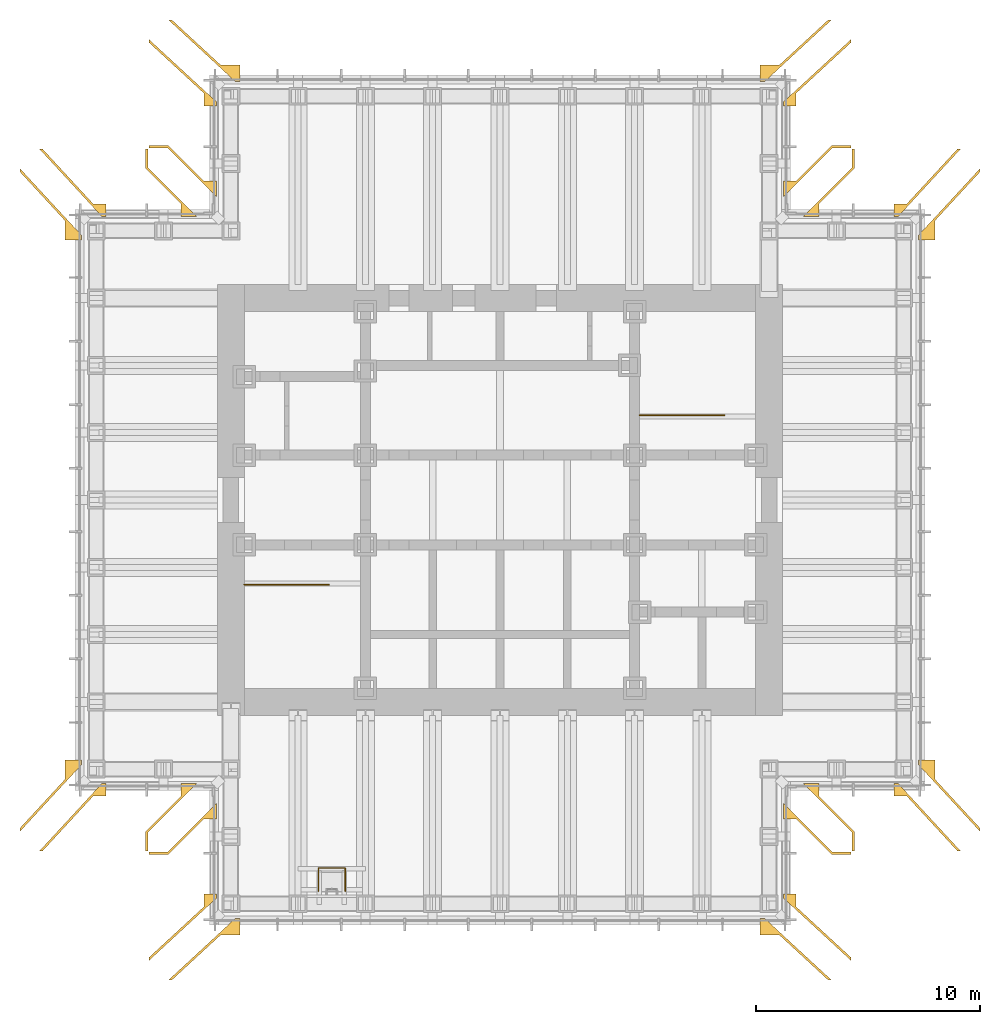
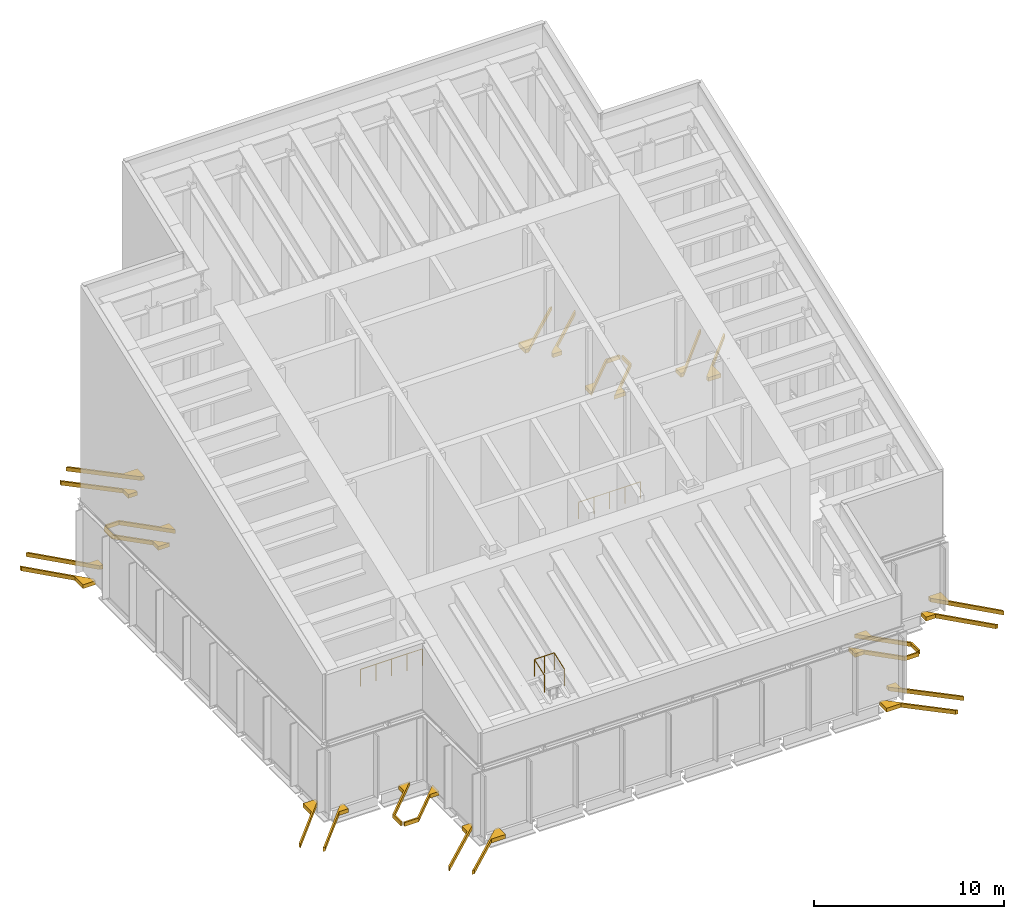
# One storey, part 15 of 15: 24 coverings, 3 railings.
"""IFC4 building model written with IfcOpenShell, lengths in metres."""

from ifc_helpers import new_model, si_unit, direction, frame, origin, origin_2d, place, context, subcontext, project, spatial, polyline, circle, outline, extrude, material, layer, layer_set, type_object, element, save


model = new_model("IFC4")

# Units and contexts
model_context = context("Model", 3, precision=1e-05, world=origin(), true_north=direction((0.0, 1.0)))
body_context = subcontext(model_context, "Body", "Model", "MODEL_VIEW")
ifc_project = project(units=[si_unit("LENGTHUNIT", "METRE"), si_unit("AREAUNIT", "SQUARE_METRE"), si_unit("VOLUMEUNIT", "CUBIC_METRE"), si_unit("PLANEANGLEUNIT", "RADIAN"), si_unit("MASSUNIT", "GRAM", prefix="KILO")], contexts=[model_context])

# Site, building, storey
site_placement = place(None, origin())
site = spatial("IfcSite", under=ifc_project, at=site_placement, CompositionType="ELEMENT")
building_placement = place(site_placement, origin())
building = spatial("IfcBuilding", under=site, at=building_placement, Name="Daluyong Arena Tower", CompositionType="ELEMENT")
storey_placement = place(building_placement, frame((0.0, 0.0, 285.699951171875)))
storey = spatial("IfcBuildingStorey", under=building, at=storey_placement, Name="L64", CompositionType="ELEMENT", Elevation=285.699951171875)

# Railings
ifc_material_1 = material(Name="Galvanised steel guard rail", Category="steel")
railing_type_1 = type_object("IfcRailingType", Name="Roof hatch guard 1100", PredefinedType="GUARDRAIL", material=ifc_material_1)
railing_placement = place(storey_placement, frame((47.89990234375, 62.550048828125, 6.75048828125)))
element("IfcRailing", 1, at=railing_placement, inside=storey, type_object=railing_type_1, Name="crown roof hatch guard", PredefinedType="GUARDRAIL", context=body_context, shape_type="SweptSolid", body=[
    extrude(circle(Radius=0.02392578125, at=origin_2d()), frame((0.0, 0.0, 1.076171875), z_axis=(0.0, 0.936248640574, 0.351338132036), x_axis=(-1.0, 0.0, 0.0)), (0.0, 0.0, 1.0), 1.12158203125),
    extrude(circle(Radius=0.02392578125, at=origin_2d()), frame((0.0, 1.050048828125, 1.47021484375), z_axis=(1.0, 0.0, 0.0), x_axis=(0.0, 1.0, 0.0)), (0.0, 0.0, 1.0), 1.2001953125),
    extrude(circle(Radius=0.02392578125, at=origin_2d()), frame((1.2001953125, 1.050048828125, 1.47021484375), z_axis=(0.0, -0.936248640574, -0.351338132036), x_axis=(1.0, 0.0, 0.0)), (0.0, 0.0, 1.0), 1.12158203125),
    extrude(circle(Radius=0.02099609375, at=origin_2d()), origin(), (0.0, 0.0, 1.0), 1.052001953125),
    extrude(circle(Radius=0.02099609375, at=origin_2d()), frame((0.0, 1.050048828125, 0.39404296875)), (0.0, 0.0, 1.0), 1.052001953125),
    extrude(circle(Radius=0.02099609375, at=origin_2d()), frame((0.60009765625, 1.050048828125, 0.39404296875)), (0.0, 0.0, 1.0), 1.052001953125),
    extrude(circle(Radius=0.02099609375, at=origin_2d()), frame((1.2001953125, 1.050048828125, 0.39404296875)), (0.0, 0.0, 1.0), 1.052001953125),
    extrude(circle(Radius=0.02099609375, at=origin_2d()), frame((1.2001953125, 0.0, 0.0)), (0.0, 0.0, 1.0), 1.052001953125),
])
ifc_material_2 = material(Name="Steel balustrade", Category="steel")
railing_type_2 = type_object("IfcRailingType", Name="Stair well guard 1100", PredefinedType="GUARDRAIL", material=ifc_material_2)
for number, where, name in (
    (2, (44.60009765625, 76.22509765625, 0.0), "stair well guard L64"),
    (3, (62.22509765625, 83.77490234375, 0.0), "stair well guard L64"),
):
    element("IfcRailing", number, at=place(storey_placement, frame(where)), inside=storey, type_object=railing_type_2, Name=name, PredefinedType="GUARDRAIL", context=body_context, shape_type="SweptSolid", body=[
        extrude(circle(Radius=0.02392578125, at=origin_2d()), frame((0.0, 0.0, 1.076171875), z_axis=(1.0, 0.0, 0.0), x_axis=(0.0, 1.0, 0.0)), (0.0, 0.0, 1.0), 3.77490234375),
        extrude(circle(Radius=0.02099609375, at=origin_2d()), origin(), (0.0, 0.0, 1.0), 1.052001953125),
        extrude(circle(Radius=0.02099609375, at=origin_2d()), frame((0.94384765625, 0.0, 0.0)), (0.0, 0.0, 1.0), 1.052001953125),
        extrude(circle(Radius=0.02099609375, at=origin_2d()), frame((1.887451171875, 0.0, 0.0)), (0.0, 0.0, 1.0), 1.052001953125),
        extrude(circle(Radius=0.02099609375, at=origin_2d()), frame((2.8310546875, 0.0, 0.0)), (0.0, 0.0, 1.0), 1.052001953125),
        extrude(circle(Radius=0.02099609375, at=origin_2d()), frame((3.77490234375, 0.0, 0.0)), (0.0, 0.0, 1.0), 1.052001953125),
    ])

# Coverings
ifc_material_3 = material(Name="Bronze anodised aluminium capping", Category="aluminium")
ifc_layer = layer(ifc_material_3, 0.25)
ifc_layer_set = layer_set([ifc_layer], Name="Bronze anodised aluminium capping")
covering_type = type_object("IfcCoveringType", Name="Transition column casing cap 250", PredefinedType="ROOFING", material=ifc_layer_set)
covering_1_placement = place(storey_placement, frame((0.0, 0.0, -0.25)))
element("IfcCovering", 4, at=covering_1_placement, inside=storey, type_object=covering_type, Name="transition column casing cap L63 1", PredefinedType="ROOFING", context=body_context, shape_type="SweptSolid", body=[
    extrude(outline(polyline([(43.35009765625, 62.429443359375), (43.35009765625, 62.2373046875), (40.35009765625, 59.468017578125), (40.35009765625, 59.60400390625), (42.800048828125, 61.86572265625), (42.800048828125, 62.429443359375), (43.35009765625, 62.429443359375)])), origin(), (0.0, 0.0, 1.0), 0.25),
])
covering_2_placement = place(storey_placement, frame((0.0, 0.0, -0.25)))
element("IfcCovering", 5, at=covering_2_placement, inside=storey, type_object=covering_type, Name="transition column casing cap L63 2", PredefinedType="ROOFING", context=body_context, shape_type="SweptSolid", body=[
    extrude(outline(polyline([(44.41455078125, 60.60009765625), (43.537841796875, 60.60009765625), (41.37109375, 58.60009765625), (41.2236328125, 58.60009765625), (44.202880859375, 61.35009765625), (44.41455078125, 61.35009765625), (44.41455078125, 60.60009765625)])), origin(), (0.0, 0.0, 1.0), 0.25),
])
covering_3_placement = place(storey_placement, frame((0.0, 0.0, -0.25)))
element("IfcCovering", 6, at=covering_3_placement, inside=storey, type_object=covering_type, Name="transition column casing cap L63 1", PredefinedType="ROOFING", context=body_context, shape_type="SweptSolid", body=[
    extrude(outline(polyline([(70.7763671875, 58.60009765625), (70.62890625, 58.60009765625), (68.462158203125, 60.60009765625), (67.58544921875, 60.60009765625), (67.58544921875, 61.35009765625), (67.797119140625, 61.35009765625), (70.7763671875, 58.60009765625)])), origin(), (0.0, 0.0, 1.0), 0.25),
])
covering_4_placement = place(storey_placement, frame((0.0, 0.0, -0.25)))
element("IfcCovering", 7, at=covering_4_placement, inside=storey, type_object=covering_type, Name="transition column casing cap L63 2", PredefinedType="ROOFING", context=body_context, shape_type="SweptSolid", body=[
    extrude(outline(polyline([(69.199951171875, 62.429443359375), (69.199951171875, 61.86572265625), (71.64990234375, 59.60400390625), (71.64990234375, 59.468017578125), (68.64990234375, 62.2373046875), (68.64990234375, 62.429443359375), (69.199951171875, 62.429443359375)])), origin(), (0.0, 0.0, 1.0), 0.25),
])
covering_5_placement = place(storey_placement, frame((0.0, 0.0, -0.25)))
element("IfcCovering", 8, at=covering_5_placement, inside=storey, type_object=covering_type, Name="transition column casing cap L63 1", PredefinedType="ROOFING", context=body_context, shape_type="SweptSolid", body=[
    extrude(outline(polyline([(70.829345703125, 64.300048828125), (71.64990234375, 64.300048828125), (71.64990234375, 64.199951171875), (70.787841796875, 64.199951171875), (69.199951171875, 65.787841796875), (69.199951171875, 65.77783203125), (68.64990234375, 65.77783203125), (68.64990234375, 66.479248046875), (70.829345703125, 64.300048828125)])), origin(), (0.0, 0.0, 1.0), 0.25),
])
covering_6_placement = place(storey_placement, frame((0.0, 0.0, -0.25)))
element("IfcCovering", 9, at=covering_6_placement, inside=storey, type_object=covering_type, Name="transition column casing cap L63 2", PredefinedType="ROOFING", context=body_context, shape_type="SweptSolid", body=[
    extrude(outline(polyline([(69.520751953125, 67.35009765625), (70.22216796875, 67.35009765625), (70.22216796875, 66.800048828125), (70.212158203125, 66.800048828125), (71.800048828125, 65.212158203125), (71.800048828125, 64.35009765625), (71.699951171875, 64.35009765625), (71.699951171875, 65.170654296875), (69.520751953125, 67.35009765625)])), origin(), (0.0, 0.0, 1.0), 0.25),
])
covering_7_placement = place(storey_placement, frame((0.0, 0.0, -0.25)))
element("IfcCovering", 10, at=covering_7_placement, inside=storey, type_object=covering_type, Name="transition column casing cap L63 1", PredefinedType="ROOFING", context=body_context, shape_type="SweptSolid", body=[
    extrude(outline(polyline([(76.531982421875, 64.35009765625), (76.39599609375, 64.35009765625), (74.13427734375, 66.800048828125), (73.570556640625, 66.800048828125), (73.570556640625, 67.35009765625), (73.7626953125, 67.35009765625), (76.531982421875, 64.35009765625)])), origin(), (0.0, 0.0, 1.0), 0.25),
])
covering_8_placement = place(storey_placement, frame((0.0, 0.0, -0.25)))
element("IfcCovering", 11, at=covering_8_placement, inside=storey, type_object=covering_type, Name="transition column casing cap L63 2", PredefinedType="ROOFING", context=body_context, shape_type="SweptSolid", body=[
    extrude(outline(polyline([(75.39990234375, 68.41455078125), (75.39990234375, 67.537841796875), (77.39990234375, 65.37109375), (77.39990234375, 65.2236328125), (74.64990234375, 68.202880859375), (74.64990234375, 68.41455078125), (75.39990234375, 68.41455078125)])), origin(), (0.0, 0.0, 1.0), 0.25),
])
covering_9_placement = place(storey_placement, frame((0.0, 0.0, -0.25)))
element("IfcCovering", 12, at=covering_9_placement, inside=storey, type_object=covering_type, Name="transition column casing cap L63 1", PredefinedType="ROOFING", context=body_context, shape_type="SweptSolid", body=[
    extrude(outline(polyline([(73.570556640625, 93.199951171875), (74.13427734375, 93.199951171875), (76.39599609375, 95.64990234375), (76.531982421875, 95.64990234375), (73.7626953125, 92.64990234375), (73.570556640625, 92.64990234375), (73.570556640625, 93.199951171875)])), origin(), (0.0, 0.0, 1.0), 0.25),
])
covering_10_placement = place(storey_placement, frame((0.0, 0.0, -0.25)))
element("IfcCovering", 13, at=covering_10_placement, inside=storey, type_object=covering_type, Name="transition column casing cap L63 2", PredefinedType="ROOFING", context=body_context, shape_type="SweptSolid", body=[
    extrude(outline(polyline([(75.39990234375, 91.58544921875), (74.64990234375, 91.58544921875), (74.64990234375, 91.797119140625), (77.39990234375, 94.7763671875), (77.39990234375, 94.62890625), (75.39990234375, 92.462158203125), (75.39990234375, 91.58544921875)])), origin(), (0.0, 0.0, 1.0), 0.25),
])
covering_11_placement = place(storey_placement, frame((0.0, 0.0, -0.25)))
element("IfcCovering", 14, at=covering_11_placement, inside=storey, type_object=covering_type, Name="transition column casing cap L63 1", PredefinedType="ROOFING", context=body_context, shape_type="SweptSolid", body=[
    extrude(outline(polyline([(69.199951171875, 94.22216796875), (69.199951171875, 94.212158203125), (70.787841796875, 95.800048828125), (71.64990234375, 95.800048828125), (71.64990234375, 95.699951171875), (70.829345703125, 95.699951171875), (68.64990234375, 93.520751953125), (68.64990234375, 94.22216796875), (69.199951171875, 94.22216796875)])), origin(), (0.0, 0.0, 1.0), 0.25),
])
covering_12_placement = place(storey_placement, frame((0.0, 0.0, -0.25)))
element("IfcCovering", 15, at=covering_12_placement, inside=storey, type_object=covering_type, Name="transition column casing cap L63 2", PredefinedType="ROOFING", context=body_context, shape_type="SweptSolid", body=[
    extrude(outline(polyline([(70.212158203125, 93.199951171875), (70.22216796875, 93.199951171875), (70.22216796875, 92.64990234375), (69.520751953125, 92.64990234375), (71.699951171875, 94.829345703125), (71.699951171875, 95.64990234375), (71.800048828125, 95.64990234375), (71.800048828125, 94.787841796875), (70.212158203125, 93.199951171875)])), origin(), (0.0, 0.0, 1.0), 0.25),
])
covering_13_placement = place(storey_placement, frame((0.0, 0.0, -0.25)))
element("IfcCovering", 16, at=covering_13_placement, inside=storey, type_object=covering_type, Name="transition column casing cap L63 1", PredefinedType="ROOFING", context=body_context, shape_type="SweptSolid", body=[
    extrude(outline(polyline([(67.58544921875, 99.39990234375), (68.462158203125, 99.39990234375), (70.62890625, 101.39990234375), (70.7763671875, 101.39990234375), (67.797119140625, 98.64990234375), (67.58544921875, 98.64990234375), (67.58544921875, 99.39990234375)])), origin(), (0.0, 0.0, 1.0), 0.25),
])
covering_14_placement = place(storey_placement, frame((0.0, 0.0, -0.25)))
element("IfcCovering", 17, at=covering_14_placement, inside=storey, type_object=covering_type, Name="transition column casing cap L63 2", PredefinedType="ROOFING", context=body_context, shape_type="SweptSolid", body=[
    extrude(outline(polyline([(69.199951171875, 97.570556640625), (68.64990234375, 97.570556640625), (68.64990234375, 97.7626953125), (71.64990234375, 100.531982421875), (71.64990234375, 100.39599609375), (69.199951171875, 98.13427734375), (69.199951171875, 97.570556640625)])), origin(), (0.0, 0.0, 1.0), 0.25),
])
covering_15_placement = place(storey_placement, frame((0.0, 0.0, -0.25)))
element("IfcCovering", 18, at=covering_15_placement, inside=storey, type_object=covering_type, Name="transition column casing cap L63 1", PredefinedType="ROOFING", context=body_context, shape_type="SweptSolid", body=[
    extrude(outline(polyline([(42.800048828125, 97.570556640625), (42.800048828125, 98.13427734375), (40.35009765625, 100.39599609375), (40.35009765625, 100.531982421875), (43.35009765625, 97.7626953125), (43.35009765625, 97.570556640625), (42.800048828125, 97.570556640625)])), origin(), (0.0, 0.0, 1.0), 0.25),
])
covering_16_placement = place(storey_placement, frame((0.0, 0.0, -0.25)))
element("IfcCovering", 19, at=covering_16_placement, inside=storey, type_object=covering_type, Name="transition column casing cap L63 2", PredefinedType="ROOFING", context=body_context, shape_type="SweptSolid", body=[
    extrude(outline(polyline([(44.41455078125, 99.39990234375), (44.41455078125, 98.64990234375), (44.202880859375, 98.64990234375), (41.2236328125, 101.39990234375), (41.37109375, 101.39990234375), (43.537841796875, 99.39990234375), (44.41455078125, 99.39990234375)])), origin(), (0.0, 0.0, 1.0), 0.25),
])
covering_17_placement = place(storey_placement, frame((0.0, 0.0, -0.25)))
element("IfcCovering", 20, at=covering_17_placement, inside=storey, type_object=covering_type, Name="transition column casing cap L63 1", PredefinedType="ROOFING", context=body_context, shape_type="SweptSolid", body=[
    extrude(outline(polyline([(40.199951171875, 94.787841796875), (40.199951171875, 95.64990234375), (40.300048828125, 95.64990234375), (40.300048828125, 94.829345703125), (42.479248046875, 92.64990234375), (41.77783203125, 92.64990234375), (41.77783203125, 93.199951171875), (41.787841796875, 93.199951171875), (40.199951171875, 94.787841796875)])), origin(), (0.0, 0.0, 1.0), 0.25),
])
covering_18_placement = place(storey_placement, frame((0.0, 0.0, -0.25)))
element("IfcCovering", 21, at=covering_18_placement, inside=storey, type_object=covering_type, Name="transition column casing cap L63 2", PredefinedType="ROOFING", context=body_context, shape_type="SweptSolid", body=[
    extrude(outline(polyline([(42.800048828125, 94.212158203125), (42.800048828125, 94.22216796875), (43.35009765625, 94.22216796875), (43.35009765625, 93.520751953125), (41.170654296875, 95.699951171875), (40.35009765625, 95.699951171875), (40.35009765625, 95.800048828125), (41.212158203125, 95.800048828125), (42.800048828125, 94.212158203125)])), origin(), (0.0, 0.0, 1.0), 0.25),
])
covering_19_placement = place(storey_placement, frame((0.0, 0.0, -0.25)))
element("IfcCovering", 22, at=covering_19_placement, inside=storey, type_object=covering_type, Name="transition column casing cap L63 1", PredefinedType="ROOFING", context=body_context, shape_type="SweptSolid", body=[
    extrude(outline(polyline([(36.60009765625, 91.58544921875), (36.60009765625, 92.462158203125), (34.60009765625, 94.62890625), (34.60009765625, 94.7763671875), (37.35009765625, 91.797119140625), (37.35009765625, 91.58544921875), (36.60009765625, 91.58544921875)])), origin(), (0.0, 0.0, 1.0), 0.25),
])
covering_20_placement = place(storey_placement, frame((0.0, 0.0, -0.25)))
element("IfcCovering", 23, at=covering_20_placement, inside=storey, type_object=covering_type, Name="transition column casing cap L63 2", PredefinedType="ROOFING", context=body_context, shape_type="SweptSolid", body=[
    extrude(outline(polyline([(38.429443359375, 93.199951171875), (38.429443359375, 92.64990234375), (38.2373046875, 92.64990234375), (35.468017578125, 95.64990234375), (35.60400390625, 95.64990234375), (37.86572265625, 93.199951171875), (38.429443359375, 93.199951171875)])), origin(), (0.0, 0.0, 1.0), 0.25),
])
covering_21_placement = place(storey_placement, frame((0.0, 0.0, -0.25)))
element("IfcCovering", 24, at=covering_21_placement, inside=storey, type_object=covering_type, Name="transition column casing cap L63 1", PredefinedType="ROOFING", context=body_context, shape_type="SweptSolid", body=[
    extrude(outline(polyline([(37.35009765625, 68.41455078125), (37.35009765625, 68.202880859375), (34.60009765625, 65.2236328125), (34.60009765625, 65.37109375), (36.60009765625, 67.537841796875), (36.60009765625, 68.41455078125), (37.35009765625, 68.41455078125)])), origin(), (0.0, 0.0, 1.0), 0.25),
])
covering_22_placement = place(storey_placement, frame((0.0, 0.0, -0.25)))
element("IfcCovering", 25, at=covering_22_placement, inside=storey, type_object=covering_type, Name="transition column casing cap L63 2", PredefinedType="ROOFING", context=body_context, shape_type="SweptSolid", body=[
    extrude(outline(polyline([(38.429443359375, 66.800048828125), (37.86572265625, 66.800048828125), (35.60400390625, 64.35009765625), (35.468017578125, 64.35009765625), (38.2373046875, 67.35009765625), (38.429443359375, 67.35009765625), (38.429443359375, 66.800048828125)])), origin(), (0.0, 0.0, 1.0), 0.25),
])
covering_23_placement = place(storey_placement, frame((0.0, 0.0, -0.25)))
element("IfcCovering", 26, at=covering_23_placement, inside=storey, type_object=covering_type, Name="transition column casing cap L63 1", PredefinedType="ROOFING", context=body_context, shape_type="SweptSolid", body=[
    extrude(outline(polyline([(41.77783203125, 67.35009765625), (42.479248046875, 67.35009765625), (40.300048828125, 65.170654296875), (40.300048828125, 64.35009765625), (40.199951171875, 64.35009765625), (40.199951171875, 65.212158203125), (41.787841796875, 66.800048828125), (41.77783203125, 66.800048828125), (41.77783203125, 67.35009765625)])), origin(), (0.0, 0.0, 1.0), 0.25),
])
covering_24_placement = place(storey_placement, frame((0.0, 0.0, -0.25)))
element("IfcCovering", 27, at=covering_24_placement, inside=storey, type_object=covering_type, Name="transition column casing cap L63 2", PredefinedType="ROOFING", context=body_context, shape_type="SweptSolid", body=[
    extrude(outline(polyline([(43.35009765625, 66.479248046875), (43.35009765625, 65.77783203125), (42.800048828125, 65.77783203125), (42.800048828125, 65.787841796875), (41.212158203125, 64.199951171875), (40.35009765625, 64.199951171875), (40.35009765625, 64.300048828125), (41.170654296875, 64.300048828125), (43.35009765625, 66.479248046875)])), origin(), (0.0, 0.0, 1.0), 0.25),
])

save(model, "model.ifc")
